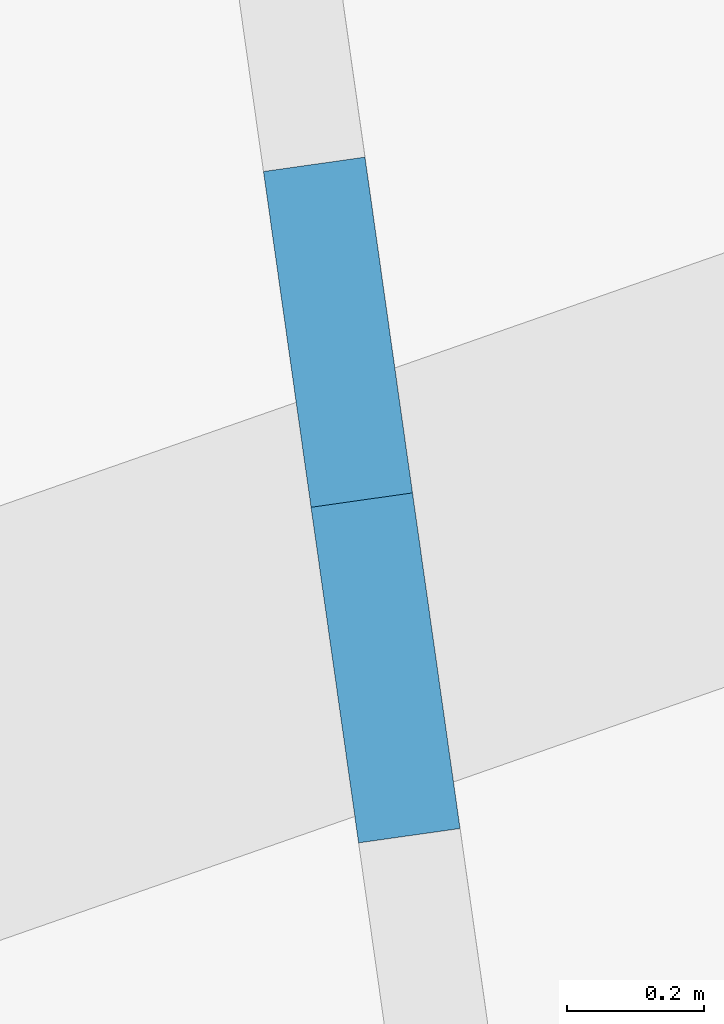
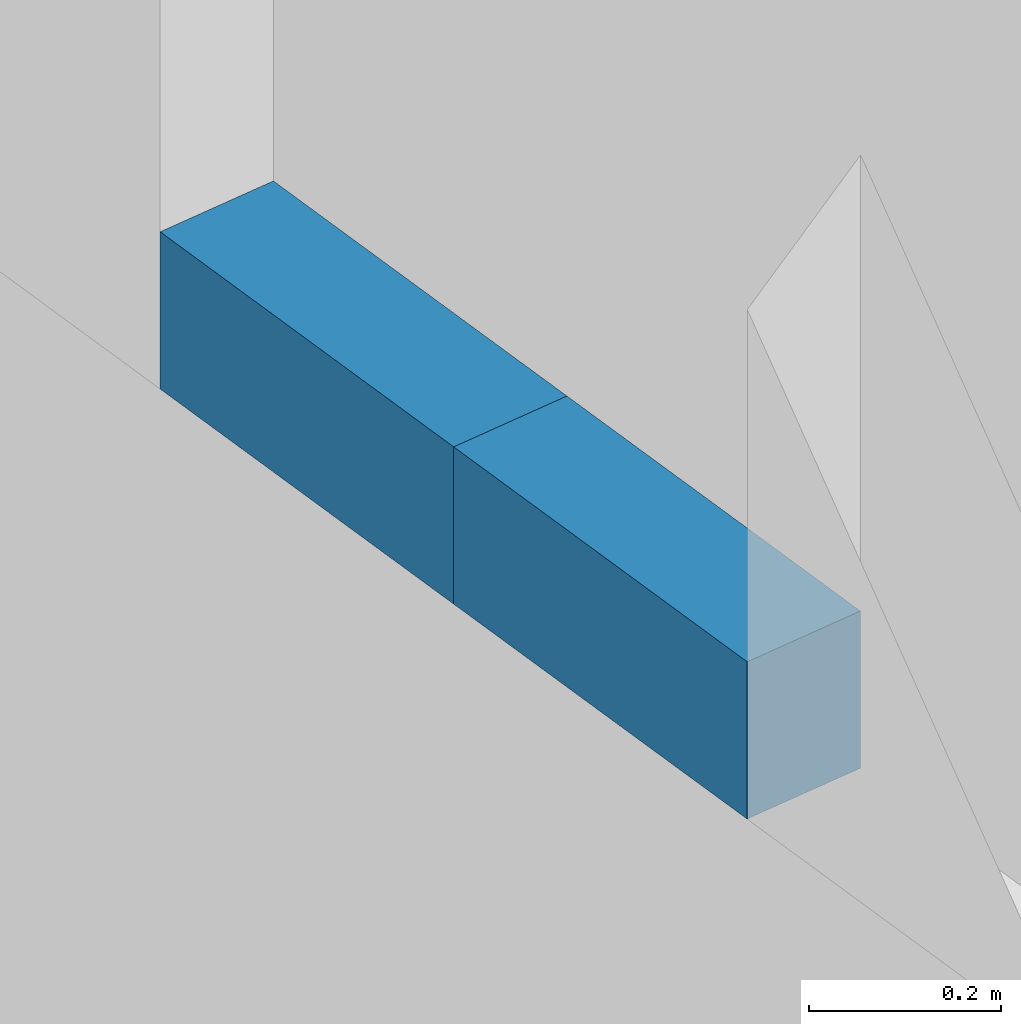
# One storey, part 202 of 271: 2 walls.
"""IFC4 building model written with IfcOpenShell, lengths in metres."""

from ifc_helpers import new_model, si_unit, direction, frame, frame_2d, origin, place, context, subcontext, project, spatial, rectangle, extrude, material, layer, layer_set, type_object, element, save


model = new_model("IFC4")

# Units and contexts
model_context = context("Model", 3, precision=1e-05, world=origin(), true_north=direction((0.0, 1.0)))
body_context = subcontext(model_context, "Body", "Model", "MODEL_VIEW")
ifc_project = project(units=[si_unit("LENGTHUNIT", "METRE"), si_unit("AREAUNIT", "SQUARE_METRE"), si_unit("VOLUMEUNIT", "CUBIC_METRE"), si_unit("PLANEANGLEUNIT", "RADIAN"), si_unit("MASSUNIT", "GRAM", prefix="KILO")], contexts=[model_context])

# Site, building, storey
site_placement = place(None, origin())
site = spatial("IfcSite", under=ifc_project, at=site_placement, CompositionType="ELEMENT")
building_placement = place(site_placement, origin())
building = spatial("IfcBuilding", under=site, at=building_placement, Name="Meseta Stadium", CompositionType="ELEMENT")
storey_placement = place(building_placement, frame((0.0, 0.0, 6.5)))
storey = spatial("IfcBuildingStorey", under=building, at=storey_placement, Name="L01", CompositionType="ELEMENT", Elevation=6.5)

# Walls
ifc_material = material(Name="Masonry blockwork", Category="masonry")
ifc_layer = layer(ifc_material, 0.14990234375)
ifc_layer_set = layer_set([ifc_layer], Name="Partition 150")
wall_type = type_object("IfcWallType", Name="Partition 150", PredefinedType="PARTITIONING", material=ifc_layer_set)
wall_1_placement = place(storey_placement, frame((57.24462890625, -88.410888671875, 4.050048828125), z_axis=(0.0, 0.0, 1.0), x_axis=(-0.140318414971, 0.990106429845, 0.0)))
element("IfcWall", 1, at=wall_1_placement, inside=storey, type_object=wall_type, Name="Stair vestibule wall L01 core 26", PredefinedType="PARTITIONING", context=body_context, shape_type="SweptSolid", body=[
    extrude(rectangle(XDim=0.495849609375, YDim=0.14990234375, at=frame_2d((0.248046875, 0.0))), origin(), (0.0, 0.0, 1.0), 0.199951171875),
])
wall_2_placement = place(storey_placement, frame((57.175048828125, -87.919921875, 4.050048828125), z_axis=(0.0, 0.0, 1.0), x_axis=(-0.140181743649, 0.990125789356, 0.0)))
element("IfcWall", 2, at=wall_2_placement, inside=storey, type_object=wall_type, Name="Stair vestibule wall L01 core 26", PredefinedType="PARTITIONING", context=body_context, shape_type="SweptSolid", body=[
    extrude(rectangle(XDim=0.496337890625, YDim=0.14990234375, at=frame_2d((0.248046875, 0.0))), origin(), (0.0, 0.0, 1.0), 0.199951171875),
])

save(model, "model.ifc")
